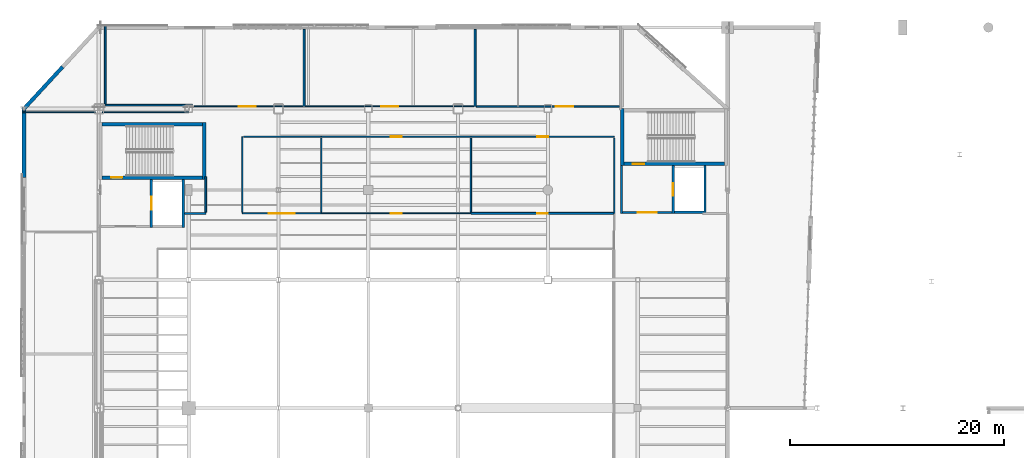
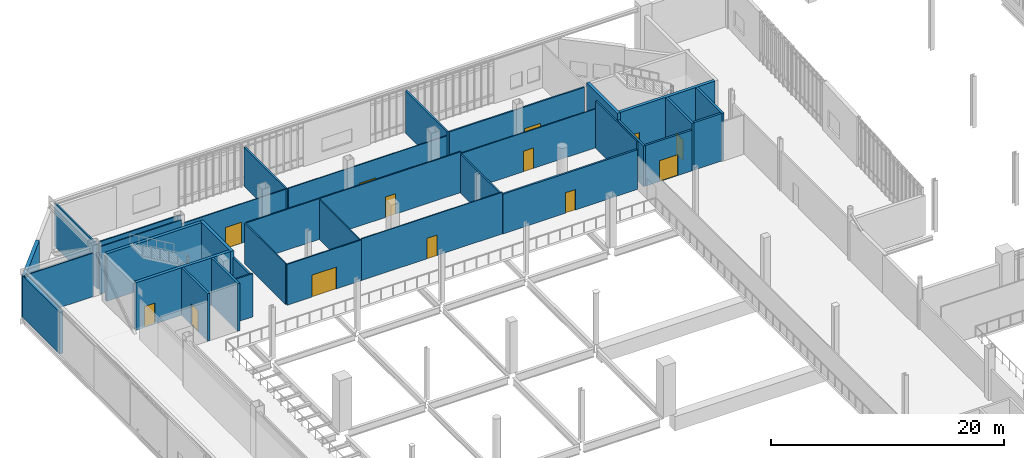
# One storey, part 109 of 127: 35 walls, 13 doors, 13 openings.
"""IFC4 building model written with IfcOpenShell, lengths in metres."""

import ifcopenshell
import ifcopenshell.guid

model = None  # the IFC model being written
_history = None  # IfcOwnerHistory: only IFC2X3 demands one
_inside = {}  # id of a spatial element -> (the spatial element, [elements in it])
_under = {}  # id of a project, library or spatial element -> (it, [spatial elements below it])
_declared = {}  # id of a project -> (the project, [libraries it declares])
_typed = {}  # id of a type object -> (the type object, [elements of that type])
_made_of = {}  # id of a material, layer set ... -> (it, [elements and type objects made of it])


def new_model(schema):
    """Start an empty IFC model of exactly this schema.

    Asked for "IFC4X3", IfcOpenShell would pick the latest addendum, in which some entities
    have other attributes; the version numbers below select the first issue.
    IFC2X3 requires an IfcOwnerHistory on every rooted entity: one is made here for all.
    """
    global model, _history
    if schema == "IFC4X3":
        model = ifcopenshell.file(schema_version=(4, 3, 0, 0))
    else:
        model = ifcopenshell.file(schema=schema)
    _inside.clear()
    _under.clear()
    _declared.clear()
    _typed.clear()
    _made_of.clear()
    _history = None
    if model.schema == "IFC2X3":
        org = make("IfcOrganization", Name="unknown")
        user = make(
            "IfcPersonAndOrganization",
            ThePerson=make("IfcPerson", FamilyName="unknown"),
            TheOrganization=org,
        )
        app = make(
            "IfcApplication",
            ApplicationDeveloper=org,
            Version="unknown",
            ApplicationFullName="unknown",
            ApplicationIdentifier="unknown",
        )
        _history = make(
            "IfcOwnerHistory",
            OwningUser=user,
            OwningApplication=app,
            ChangeAction="ADDED",
            CreationDate=0,
        )
    return model


def make(cls, **values):
    """One entity of the class cls with the attributes given. An attribute that is None is left unset."""
    return model.create_entity(
        cls, **{name: value for name, value in values.items() if value is not None}
    )


def rooted(cls, **values):
    """An entity with a GlobalId (a new one), such as an element, a storey or a relation."""
    return make(cls, GlobalId=ifcopenshell.guid.new(), OwnerHistory=_history, **values)


def si_unit(unit_type, name, prefix=None):
    """IfcSIUnit, for example si_unit("LENGTHUNIT", "METRE", prefix="MILLI")."""
    return make("IfcSIUnit", UnitType=unit_type, Prefix=prefix, Name=name)


def assignment(units):
    """IfcUnitAssignment: the units of a project."""
    return None if units is None else make("IfcUnitAssignment", Units=units)


def point(xyz):
    """IfcCartesianPoint."""
    return None if xyz is None else make("IfcCartesianPoint", Coordinates=xyz)


def direction(xyz):
    """IfcDirection."""
    return None if xyz is None else make("IfcDirection", DirectionRatios=xyz)


def frame(location, z_axis=None, x_axis=None):
    """IfcAxis2Placement3D, a coordinate frame: its origin and axes. An axis left out is left unset."""
    return make(
        "IfcAxis2Placement3D",
        Location=point(location),
        Axis=direction(z_axis),
        RefDirection=direction(x_axis),
    )


def frame_2d(location, x_axis=None):
    """IfcAxis2Placement2D, a coordinate frame in the plane: its origin and x axis."""
    return make(
        "IfcAxis2Placement2D", Location=point(location), RefDirection=direction(x_axis)
    )


def origin():
    """The frame at (0, 0, 0) with its axes left unset."""
    return frame((0.0, 0.0, 0.0))


def place(relative_to, where):
    """IfcLocalPlacement: puts the frame where relative to a parent placement (None: the world)."""
    return make(
        "IfcLocalPlacement", PlacementRelTo=relative_to, RelativePlacement=where
    )


def context(
    kind, dimensions, precision=None, world=None, true_north=None, identifier=None
):
    """IfcGeometricRepresentationContext, for example the 3D "Model" context."""
    return make(
        "IfcGeometricRepresentationContext",
        ContextIdentifier=identifier,
        ContextType=kind,
        CoordinateSpaceDimension=dimensions,
        Precision=precision,
        WorldCoordinateSystem=world,
        TrueNorth=true_north,
    )


def subcontext(parent, identifier, kind, view, scale=None):
    """IfcGeometricRepresentationSubContext, for example "Body" below "Model"."""
    return make(
        "IfcGeometricRepresentationSubContext",
        ContextIdentifier=identifier,
        ContextType=kind,
        ParentContext=parent,
        TargetScale=scale,
        TargetView=view,
    )


def project(units=None, contexts=None):
    """IfcProject with its units and contexts."""
    return rooted(
        "IfcProject",
        Name="project",
        RepresentationContexts=contexts,
        UnitsInContext=assignment(units),
    )


def spatial(cls, under=None, at=None, **own):
    """A site, building, storey or space (cls), placed at a placement, below another one or the project."""
    s = rooted(cls, ObjectPlacement=at, **own)
    if under is not None:
        _under.setdefault(under.id(), (under, []))[1].append(s)
    return s


def profile(cls, at=None, kind="AREA", **sizes):
    """A parametric profile (cls). Its sizes go by their IFC names, for example OverallWidth=200.0."""
    return make(cls, ProfileType=kind, Position=at, **sizes)


def rectangle(**sizes):
    """IfcRectangleProfileDef."""
    return profile("IfcRectangleProfileDef", **sizes)


def extrude(swept, where, along, depth):
    """IfcExtrudedAreaSolid: the profile swept, set in the frame where, extruded along a direction by depth."""
    return make(
        "IfcExtrudedAreaSolid",
        SweptArea=swept,
        Position=where,
        ExtrudedDirection=direction(along),
        Depth=depth,
    )


def shape(context_of_items, identifier, shape_type, items):
    """IfcShapeRepresentation: the items that make up one representation, for example the "Body"."""
    return make(
        "IfcShapeRepresentation",
        ContextOfItems=context_of_items,
        RepresentationIdentifier=identifier,
        RepresentationType=shape_type,
        Items=items,
    )


def material(Name=None, Category=None):
    """IfcMaterial."""
    return make("IfcMaterial", Name=Name, Category=Category)


def layer(
    of_material, thickness, ventilated=None, Name=None, Category=None, Priority=None
):
    """IfcMaterialLayer: one layer of a wall or slab, of a material (None: an air gap)."""
    return make(
        "IfcMaterialLayer",
        Material=of_material,
        LayerThickness=thickness,
        IsVentilated=ventilated,
        Name=Name,
        Category=Category,
        Priority=Priority,
    )


def layer_set(layers, Name=None):
    """IfcMaterialLayerSet."""
    return make("IfcMaterialLayerSet", MaterialLayers=layers, LayerSetName=Name)


def made_of(thing, what):
    """Note that an element or type object is made of a material, layer set ...; save() writes the relation."""
    if what is not None:
        _made_of.setdefault(what.id(), (what, []))[1].append(thing)
    return thing


def type_object(cls, material=None, **own):
    """A type object (cls), such as IfcWallType, which elements share."""
    return made_of(rooted(cls, **own), material)


def element(
    cls,
    number,
    at=None,
    inside=None,
    cuts=None,
    type_object=None,
    material=None,
    context=None,
    identifier="Body",
    shape_type=None,
    held_by="IfcProductDefinitionShape",
    body=None,
    shapes=None,
    **own,
):
    """One element of the class cls, such as IfcWall. Its Tag is "e" and its number.

    at: its placement. inside: the storey or other place that contains it. cuts: it is an
    opening in that element (IfcRelVoidsElement). A single representation is given by context,
    identifier, shape_type and body (its items); several are given by shapes. held_by: the class
    of the entity that holds the representations. save() writes the other relations.
    """
    e = rooted(cls, Tag="e%d" % number, ObjectPlacement=at, **own)
    if body is not None:
        shapes = [shape(context, identifier, shape_type, body)]
    if shapes is not None:
        e.Representation = make(held_by, Representations=shapes)
    if inside is not None:
        _inside.setdefault(inside.id(), (inside, []))[1].append(e)
    if cuts is not None:
        rooted(
            "IfcRelVoidsElement", RelatingBuildingElement=cuts, RelatedOpeningElement=e
        )
    if type_object is not None:
        _typed.setdefault(type_object.id(), (type_object, []))[1].append(e)
    return made_of(e, material)


def fill(opening, filler):
    """IfcRelFillsElement: the door or window that sits in an opening."""
    return rooted(
        "IfcRelFillsElement",
        RelatingOpeningElement=opening,
        RelatedBuildingElement=filler,
    )


def aggregate(whole, parts):
    """IfcRelAggregates: a whole, such as a stair, and the parts it consists of."""
    return rooted("IfcRelAggregates", RelatingObject=whole, RelatedObjects=parts)


def save(model, path):
    """Write the relations noted so far, then the file.

    IfcRelAggregates (storeys below a building ...), IfcRelContainedInSpatialStructure (elements
    in a storey), IfcRelDefinesByType, IfcRelAssociatesMaterial and IfcRelDeclares: one each for
    every whole, place, type object, material and project.
    """
    for whole, parts in _under.values():
        aggregate(whole, parts)
    for where, things in _inside.values():
        rooted(
            "IfcRelContainedInSpatialStructure",
            RelatedElements=things,
            RelatingStructure=where,
        )
    for kind, things in _typed.values():
        rooted("IfcRelDefinesByType", RelatedObjects=things, RelatingType=kind)
    for what, things in _made_of.values():
        rooted("IfcRelAssociatesMaterial", RelatedObjects=things, RelatingMaterial=what)
    for by, libraries in _declared.values():
        rooted("IfcRelDeclares", RelatingContext=by, RelatedDefinitions=libraries)
    model.write(path)


model = new_model("IFC4")

# Units and contexts
model_context = context("Model", 3, precision=1e-05, world=origin(), true_north=direction((0.0, 1.0)))
body_context = subcontext(model_context, "Body", "Model", "MODEL_VIEW")
ifc_project = project(units=[si_unit("LENGTHUNIT", "METRE"), si_unit("AREAUNIT", "SQUARE_METRE"), si_unit("VOLUMEUNIT", "CUBIC_METRE"), si_unit("PLANEANGLEUNIT", "RADIAN"), si_unit("MASSUNIT", "GRAM", prefix="KILO")], contexts=[model_context])

# Site, building, storey
site_placement = place(None, origin())
site = spatial("IfcSite", under=ifc_project, at=site_placement, CompositionType="ELEMENT")
building_placement = place(site_placement, origin())
building = spatial("IfcBuilding", under=site, at=building_placement, Name="Larkvane Passage Sports Hall", CompositionType="ELEMENT")
storey_placement = place(building_placement, frame((0.0, 0.0, 5.39990234375)))
storey = spatial("IfcBuildingStorey", under=building, at=storey_placement, Name="L01", CompositionType="ELEMENT", Elevation=5.39990234375)

# Wall
ifc_material_1 = material(Name="Concrete C50/60", Category="concrete")
ifc_layer_1 = layer(ifc_material_1, 0.340087890625)
ifc_layer_set_1 = layer_set([ifc_layer_1], Name="Concrete C50/60")
wall_type_1 = type_object("IfcWallType", Name="WL-CORE-340", PredefinedType="SHEAR", material=ifc_layer_set_1)
wall_1_placement = place(storey_placement, frame((44.64990234375, 90.300048828125, 0.0), z_axis=(0.0, 0.0, 1.0), x_axis=(0.0, -1.0, 0.0)))
element("IfcWall", 1, at=wall_1_placement, inside=storey, type_object=wall_type_1, Name="Core shear wall WAL-CORE-C2-L01-E", PredefinedType="SHEAR", context=body_context, shape_type="SweptSolid", body=[
    extrude(rectangle(XDim=5.300048828125, YDim=0.300048828125, at=frame_2d((2.64990234375, 0.0))), origin(), (0.0, 0.0, 1.0), 4.97998046875),
])

# Wall, opening, door
wall_2_placement = place(storey_placement, frame((44.5, 85.14990234375, 0.0), z_axis=(0.0, 0.0, 1.0), x_axis=(-1.0, 0.0, 0.0)))
wall_2 = element("IfcWall", 2, at=wall_2_placement, inside=storey, type_object=wall_type_1, Name="Core shear wall WAL-CORE-C2-L01-S", PredefinedType="SHEAR", context=body_context, shape_type="SweptSolid", body=[
    extrude(rectangle(XDim=9.39990234375, YDim=0.300048828125, at=frame_2d((4.699951171875, 0.0))), origin(), (0.0, 0.0, 1.0), 4.97998046875),
])
opening_1_placement = place(wall_2_placement, frame((7.5, 0.0, 0.0)))
opening_1 = element("IfcOpeningElement", 3, at=opening_1_placement, cuts=wall_2, Name="Opening DF-01", PredefinedType="OPENING", context=body_context, shape_type="SweptSolid", body=[
    extrude(rectangle(XDim=1.050048828125, YDim=2.199951171875, at=frame_2d((0.52490234375, 1.10009765625))), frame((0.0, 0.159912109375, 0.0), z_axis=(0.0, -1.0, 0.0), x_axis=(1.0, 0.0, 0.0)), (0.0, 0.0, 1.0), 0.320068359375),
])
ifc_material_2 = material(Name="Steel S355JR smoke-sealed fire door", Category="steel")
door_type_1 = type_object("IfcDoorType", Name="DR-FIRE-1050", OperationType="NOTDEFINED", PredefinedType="DOOR", material=ifc_material_2)
door_1_placement = place(opening_1_placement, origin())
door_1 = element("IfcDoor", 4, at=door_1_placement, inside=storey, type_object=door_type_1, Name="Stair ST-02 L01 fire door", OperationType="SINGLE_SWING_LEFT", OverallHeight=2.199951171875, OverallWidth=1.050048828125, PredefinedType="DOOR", context=body_context, shape_type="SweptSolid", body=[
    extrude(rectangle(XDim=1.050048828125, YDim=2.199951171875, at=frame_2d((0.52490234375, 1.10009765625))), frame((0.0, 0.02490234375, 0.0), z_axis=(0.0, -1.0, 0.0), x_axis=(1.0, 0.0, 0.0)), (0.0, 0.0, 1.0), 0.050048828125),
])
fill(opening_1, door_1)

# Walls
wall_3_placement = place(storey_placement, frame((35.10009765625, 90.14990234375, 0.0), z_axis=(0.0, 0.0, 1.0), x_axis=(1.0, 0.0, 0.0)))
element("IfcWall", 5, at=wall_3_placement, inside=storey, type_object=wall_type_1, Name="Core shear wall WAL-CORE-C2-L01-N", PredefinedType="SHEAR", context=body_context, shape_type="SweptSolid", body=[
    extrude(rectangle(XDim=9.39990234375, YDim=0.300048828125, at=frame_2d((4.699951171875, 0.0))), origin(), (0.0, 0.0, 1.0), 4.97998046875),
])
ifc_layer_2 = layer(ifc_material_1, 0.360107421875)
ifc_layer_set_2 = layer_set([ifc_layer_2], Name="Concrete C50/60")
wall_type_2 = type_object("IfcWallType", Name="WL-CORE-360", PredefinedType="SHEAR", material=ifc_layer_set_2)
wall_4_placement = place(storey_placement, frame((83.75, 86.300048828125, 0.0), z_axis=(0.0, 0.0, 1.0), x_axis=(0.0, 1.0, 0.0)))
element("IfcWall", 6, at=wall_4_placement, inside=storey, type_object=wall_type_2, Name="Core shear wall WAL-CORE-C3-L01-W", PredefinedType="SHEAR", context=body_context, shape_type="SweptSolid", body=[
    extrude(rectangle(XDim=5.300048828125, YDim=0.300048828125, at=frame_2d((2.64990234375, 0.0))), origin(), (0.0, 0.0, 1.0), 4.97998046875),
])

# Wall, opening, door
wall_5_placement = place(storey_placement, frame((93.300048828125, 86.449951171875, 0.0), z_axis=(0.0, 0.0, 1.0), x_axis=(-1.0, 0.0, 0.0)))
wall_5 = element("IfcWall", 7, at=wall_5_placement, inside=storey, type_object=wall_type_2, Name="Core shear wall WAL-CORE-C3-L01-S", PredefinedType="SHEAR", context=body_context, shape_type="SweptSolid", body=[
    extrude(rectangle(XDim=9.400146484375, YDim=0.300048828125, at=frame_2d((4.7001953125, 0.0))), origin(), (0.0, 0.0, 1.0), 4.97998046875),
])
opening_2_placement = place(wall_5_placement, frame((7.5, 0.0, 0.0)))
opening_2 = element("IfcOpeningElement", 8, at=opening_2_placement, cuts=wall_5, Name="Opening DF-01", PredefinedType="OPENING", context=body_context, shape_type="SweptSolid", body=[
    extrude(rectangle(XDim=1.050048828125, YDim=2.199951171875, at=frame_2d((0.52490234375, 1.10009765625))), frame((0.0, 0.159912109375, 0.0), z_axis=(0.0, -1.0, 0.0), x_axis=(1.0, 0.0, 0.0)), (0.0, 0.0, 1.0), 0.320068359375),
])
door_2_placement = place(opening_2_placement, origin())
door_2 = element("IfcDoor", 9, at=door_2_placement, inside=storey, type_object=door_type_1, Name="Stair ST-03 L01 fire door", OperationType="SINGLE_SWING_RIGHT", OverallHeight=2.199951171875, OverallWidth=1.050048828125, PredefinedType="DOOR", context=body_context, shape_type="SweptSolid", body=[
    extrude(rectangle(XDim=1.050048828125, YDim=2.199951171875, at=frame_2d((0.52490234375, 1.10009765625))), frame((0.0, 0.02490234375, 0.0), z_axis=(0.0, -1.0, 0.0), x_axis=(1.0, 0.0, 0.0)), (0.0, 0.0, 1.0), 0.050048828125),
])
fill(opening_2, door_2)

# Walls
ifc_material_3 = material(Name="Precast concrete C45/55", Category="concrete")
ifc_layer_3 = layer(ifc_material_3, 0.344970703125)
ifc_layer_set_3 = layer_set([ifc_layer_3], Name="Precast concrete C45/55")
wall_type_3 = type_object("IfcWallType", Name="WL-EXT-345", PredefinedType="SOLIDWALL", material=ifc_layer_set_3)
wall_6_placement = place(storey_placement, frame((27.800048828125, 85.179931640625, 0.0), z_axis=(0.0, 0.0, 1.0), x_axis=(0.0, 1.0, 0.0)))
element("IfcWall", 10, at=wall_6_placement, inside=storey, type_object=wall_type_3, Name="Exterior wall WAL-EXT-L01-069", PredefinedType="SOLIDWALL", context=body_context, shape_type="SweptSolid", body=[
    extrude(rectangle(XDim=6.585693359375, YDim=0.344970703125, at=frame_2d((3.29296875, 0.0))), origin(), (0.0, 0.0, 1.0), 4.380126953125),
])
wall_7_placement = place(storey_placement, frame((27.687744140625, 91.478271484375, 0.0), z_axis=(0.0, 0.0, 1.0), x_axis=(0.677488400695, 0.735533457379, 0.0)))
element("IfcWall", 11, at=wall_7_placement, inside=storey, type_object=wall_type_3, Name="Exterior wall WAL-EXT-L01-070", PredefinedType="SOLIDWALL", context=body_context, shape_type="SweptSolid", body=[
    extrude(rectangle(XDim=5.497314453125, YDim=0.344970703125, at=frame_2d((2.74853515625, 0.0))), origin(), (0.0, 0.0, 1.0), 4.380126953125),
])

# Wall, opening, door
ifc_material_4 = material(Name="Concrete C40/50", Category="concrete")
ifc_layer_4 = layer(ifc_material_4, 0.199951171875)
ifc_layer_set_4 = layer_set([ifc_layer_4], Name="Concrete C40/50")
wall_type_4 = type_object("IfcWallType", Name="WL-LOBBY-200", PredefinedType="SOLIDWALL", material=ifc_layer_set_4)
wall_8_placement = place(storey_placement, frame((83.800048828125, 81.89990234375, 0.0), z_axis=(0.0, 0.0, 1.0), x_axis=(1.0, 0.0, 0.0)))
wall_8 = element("IfcWall", 12, at=wall_8_placement, inside=storey, type_object=wall_type_4, Name="Protected stair lobby wall C3 L01", PredefinedType="SOLIDWALL", context=body_context, shape_type="SweptSolid", body=[
    extrude(rectangle(XDim=4.599853515625, YDim=0.199951171875, at=frame_2d((2.2998046875, 0.0))), origin(), (0.0, 0.0, 1.0), 4.27001953125),
])
opening_3_placement = place(wall_8_placement, frame((1.39990234375, 0.0, 0.0)))
opening_3 = element("IfcOpeningElement", 13, at=opening_3_placement, cuts=wall_8, Name="Opening DF-02", PredefinedType="OPENING", context=body_context, shape_type="SweptSolid", body=[
    extrude(rectangle(XDim=1.800048828125, YDim=2.199951171875, at=frame_2d((0.89990234375, 1.10009765625))), frame((0.0, 0.10986328125, 0.0), z_axis=(0.0, -1.0, 0.0), x_axis=(1.0, 0.0, 0.0)), (0.0, 0.0, 1.0), 0.219970703125),
])
ifc_material_5 = material(Name="Steel S355JR double smoke-sealed fire door", Category="steel")
door_type_2 = type_object("IfcDoorType", Name="DR-FIRE-1800", OperationType="DOUBLE_DOOR_SINGLE_SWING", PredefinedType="DOOR", material=ifc_material_5)
door_3_placement = place(opening_3_placement, origin())
door_3 = element("IfcDoor", 14, at=door_3_placement, inside=storey, type_object=door_type_2, Name="Lobby smoke door C3 L01", OperationType="DOUBLE_DOOR_SINGLE_SWING", OverallHeight=2.199951171875, OverallWidth=1.800048828125, PredefinedType="DOOR", context=body_context, shape_type="SweptSolid", body=[
    extrude(rectangle(XDim=1.800048828125, YDim=2.199951171875, at=frame_2d((0.89990234375, 1.10009765625))), frame((0.0, 0.02490234375, 0.0), z_axis=(0.0, -1.0, 0.0), x_axis=(1.0, 0.0, 0.0)), (0.0, 0.0, 1.0), 0.050048828125),
])
fill(opening_3, door_3)

# Walls
wall_9_placement = place(storey_placement, frame((83.699951171875, 81.800048828125, 0.0), z_axis=(0.0, 0.0, 1.0), x_axis=(0.0, 1.0, 0.0)))
element("IfcWall", 15, at=wall_9_placement, inside=storey, type_object=wall_type_4, Name="Lobby side wall C3 L01", PredefinedType="SOLIDWALL", context=body_context, shape_type="SweptSolid", body=[
    extrude(rectangle(XDim=4.5, YDim=0.199951171875, at=frame_2d((2.25, 0.0))), origin(), (0.0, 0.0, 1.0), 4.27001953125),
])
ifc_material_6 = material(Name="Gypsum twin-stud acoustic partition")
ifc_layer_5 = layer(ifc_material_6, 0.10009765625)
ifc_layer_set_5 = layer_set([ifc_layer_5], Name="Gypsum twin-stud acoustic partition")
wall_type_5 = type_object("IfcWallType", Name="WL-PART-100", PredefinedType="PARTITIONING", material=ifc_layer_set_5)
wall_10_placement = place(storey_placement, frame((27.6484375, 91.260009765625, 0.0), z_axis=(0.0, 0.0, 1.0), x_axis=(1.0, 0.0, 0.0)))
element("IfcWall", 16, at=wall_10_placement, inside=storey, type_object=wall_type_5, Name="Interior partition WAL-PART-L01-0111", PredefinedType="PARTITIONING", context=body_context, shape_type="SweptSolid", body=[
    extrude(rectangle(XDim=6.8115234375, YDim=0.10009765625, at=frame_2d((3.40576171875, 0.0))), origin(), (0.0, 0.0, 1.0), 4.580078125),
])

# Wall, opening, door
wall_11_placement = place(storey_placement, frame((53.8798828125, 91.820068359375, 0.0), z_axis=(0.0, 0.0, 1.0), x_axis=(-1.0, 0.0, 0.0)))
wall_11 = element("IfcWall", 17, at=wall_11_placement, inside=storey, type_object=wall_type_5, Name="Interior partition WAL-PART-L01-0119", PredefinedType="PARTITIONING", context=body_context, shape_type="SweptSolid", body=[
    extrude(rectangle(XDim=10.40576171875, YDim=0.10009765625, at=frame_2d((5.202880859375, 0.0))), origin(), (0.0, 0.0, 1.0), 4.1201171875),
])
opening_4_placement = place(wall_11_placement, frame((4.403076171875, 0.0, 0.0)))
opening_4 = element("IfcOpeningElement", 18, at=opening_4_placement, cuts=wall_11, Name="Opening DI-03", PredefinedType="OPENING", context=body_context, shape_type="SweptSolid", body=[
    extrude(rectangle(XDim=1.60009765625, YDim=2.199951171875, at=frame_2d((0.800048828125, 1.10009765625))), frame((0.0, 0.06005859375, 0.0), z_axis=(0.0, -1.0, 0.0), x_axis=(1.0, 0.0, 0.0)), (0.0, 0.0, 1.0), 0.1201171875),
])
ifc_material_7 = material(Name="Glazed aluminium studio double door", Category="aluminium")
door_type_3 = type_object("IfcDoorType", Name="DR-INT-1600", OperationType="DOUBLE_DOOR_SINGLE_SWING", PredefinedType="DOOR", material=ifc_material_7)
door_4_placement = place(opening_4_placement, origin())
door_4 = element("IfcDoor", 19, at=door_4_placement, inside=storey, type_object=door_type_3, Name="Interior door L01-0055", OperationType="DOUBLE_DOOR_SINGLE_SWING", OverallHeight=2.199951171875, OverallWidth=1.60009765625, PredefinedType="DOOR", context=body_context, shape_type="SweptSolid", body=[
    extrude(rectangle(XDim=1.60009765625, YDim=2.199951171875, at=frame_2d((0.800048828125, 1.10009765625))), frame((0.0, 0.02490234375, 0.0), z_axis=(0.0, -1.0, 0.0), x_axis=(1.0, 0.0, 0.0)), (0.0, 0.0, 1.0), 0.050048828125),
])
fill(opening_4, door_4)

wall_12_placement = place(storey_placement, frame((69.8798828125, 91.820068359375, 0.0), z_axis=(0.0, 0.0, 1.0), x_axis=(-1.0, 0.0, 0.0)))
wall_12 = element("IfcWall", 20, at=wall_12_placement, inside=storey, type_object=wall_type_5, Name="Interior partition WAL-PART-L01-0123", PredefinedType="PARTITIONING", context=body_context, shape_type="SweptSolid", body=[
    extrude(rectangle(XDim=15.759765625, YDim=0.10009765625, at=frame_2d((7.8798828125, 0.0))), origin(), (0.0, 0.0, 1.0), 4.1201171875),
])
opening_5_placement = place(wall_12_placement, frame((7.080078125, 0.0, 0.0)))
opening_5 = element("IfcOpeningElement", 21, at=opening_5_placement, cuts=wall_12, Name="Opening DI-03", PredefinedType="OPENING", context=body_context, shape_type="SweptSolid", body=[
    extrude(rectangle(XDim=1.60009765625, YDim=2.199951171875, at=frame_2d((0.800048828125, 1.10009765625))), frame((0.0, 0.06005859375, 0.0), z_axis=(0.0, -1.0, 0.0), x_axis=(1.0, 0.0, 0.0)), (0.0, 0.0, 1.0), 0.1201171875),
])
door_5_placement = place(opening_5_placement, origin())
door_5 = element("IfcDoor", 22, at=door_5_placement, inside=storey, type_object=door_type_3, Name="Interior door L01-0049", OperationType="DOUBLE_DOOR_SINGLE_SWING", OverallHeight=2.199951171875, OverallWidth=1.60009765625, PredefinedType="DOOR", context=body_context, shape_type="SweptSolid", body=[
    extrude(rectangle(XDim=1.60009765625, YDim=2.199951171875, at=frame_2d((0.800048828125, 1.10009765625))), frame((0.0, 0.02490234375, 0.0), z_axis=(0.0, -1.0, 0.0), x_axis=(1.0, 0.0, 0.0)), (0.0, 0.0, 1.0), 0.050048828125),
])
fill(opening_5, door_5)

wall_13_placement = place(storey_placement, frame((69.60009765625, 81.820068359375, 0.0), z_axis=(0.0, 0.0, 1.0), x_axis=(-1.0, 0.0, 0.0)))
wall_13 = element("IfcWall", 23, at=wall_13_placement, inside=storey, type_object=wall_type_5, Name="Interior partition WAL-PART-L01-0135", PredefinedType="PARTITIONING", context=body_context, shape_type="SweptSolid", body=[
    extrude(rectangle(XDim=13.97998046875, YDim=0.10009765625, at=frame_2d((6.989990234375, 0.0))), origin(), (0.0, 0.0, 1.0), 4.3701171875),
])
opening_6_placement = place(wall_13_placement, frame((6.489990234375, 0.0, 0.0)))
opening_6 = element("IfcOpeningElement", 24, at=opening_6_placement, cuts=wall_13, Name="Opening DI-01", PredefinedType="OPENING", context=body_context, shape_type="SweptSolid", body=[
    extrude(rectangle(XDim=1.0, YDim=2.14990234375, at=frame_2d((0.5, 1.074951171875))), frame((0.0, 0.06005859375, 0.0), z_axis=(0.0, -1.0, 0.0), x_axis=(1.0, 0.0, 0.0)), (0.0, 0.0, 1.0), 0.1201171875),
])
ifc_material_8 = material(Name="Solid-core hardwood acoustic door", Category="wood")
door_type_4 = type_object("IfcDoorType", Name="DR-INT-1000", OperationType="NOTDEFINED", PredefinedType="DOOR", material=ifc_material_8)
door_6_placement = place(opening_6_placement, origin())
door_6 = element("IfcDoor", 25, at=door_6_placement, inside=storey, type_object=door_type_4, Name="Interior door L01-0050", OperationType="SINGLE_SWING_LEFT", OverallHeight=2.14990234375, OverallWidth=1.0, PredefinedType="DOOR", context=body_context, shape_type="SweptSolid", body=[
    extrude(rectangle(XDim=1.0, YDim=2.14990234375, at=frame_2d((0.5, 1.074951171875))), frame((0.0, 0.02490234375, 0.0), z_axis=(0.0, -1.0, 0.0), x_axis=(1.0, 0.0, 0.0)), (0.0, 0.0, 1.0), 0.050048828125),
])
fill(opening_6, door_6)

wall_14_placement = place(storey_placement, frame((69.6201171875, 88.97998046875, 0.0), z_axis=(0.0, 0.0, 1.0), x_axis=(1.0, 0.0, 0.0)))
wall_14 = element("IfcWall", 26, at=wall_14_placement, inside=storey, type_object=wall_type_5, Name="Interior partition WAL-PART-L01-0139", PredefinedType="PARTITIONING", context=body_context, shape_type="SweptSolid", body=[
    extrude(rectangle(XDim=13.3798828125, YDim=0.10009765625, at=frame_2d((6.68994140625, 0.0))), origin(), (0.0, 0.0, 1.0), 4.080078125),
])
opening_7_placement = place(wall_14_placement, frame((6.18994140625, 0.0, 0.0)))
opening_7 = element("IfcOpeningElement", 27, at=opening_7_placement, cuts=wall_14, Name="Opening DI-01", PredefinedType="OPENING", context=body_context, shape_type="SweptSolid", body=[
    extrude(rectangle(XDim=1.0, YDim=2.14990234375, at=frame_2d((0.5, 1.074951171875))), frame((0.0, 0.06005859375, 0.0), z_axis=(0.0, -1.0, 0.0), x_axis=(1.0, 0.0, 0.0)), (0.0, 0.0, 1.0), 0.1201171875),
])
door_7_placement = place(opening_7_placement, origin())
door_7 = element("IfcDoor", 28, at=door_7_placement, inside=storey, type_object=door_type_4, Name="Interior door L01-0052", OperationType="SINGLE_SWING_LEFT", OverallHeight=2.14990234375, OverallWidth=1.0, PredefinedType="DOOR", context=body_context, shape_type="SweptSolid", body=[
    extrude(rectangle(XDim=1.0, YDim=2.14990234375, at=frame_2d((0.5, 1.074951171875))), frame((0.0, 0.02490234375, 0.0), z_axis=(0.0, -1.0, 0.0), x_axis=(1.0, 0.0, 0.0)), (0.0, 0.0, 1.0), 0.050048828125),
])
fill(opening_7, door_7)

# Walls
wall_15_placement = place(storey_placement, frame((35.139892578125, 91.260009765625, 0.0), z_axis=(0.0, 0.0, 1.0), x_axis=(1.0, 0.0, 0.0)))
element("IfcWall", 29, at=wall_15_placement, inside=storey, type_object=wall_type_5, Name="Interior partition WAL-PART-L01-0171", PredefinedType="PARTITIONING", context=body_context, shape_type="SweptSolid", body=[
    extrude(rectangle(XDim=8.06005859375, YDim=0.10009765625, at=frame_2d((4.030029296875, 0.0))), origin(), (0.0, 0.0, 1.0), 4.97998046875),
])
ifc_material_9 = material(Name="Gypsum twin-stud fire-rated partition")
ifc_layer_6 = layer(ifc_material_9, 0.125)
ifc_layer_set_6 = layer_set([ifc_layer_6], Name="Gypsum twin-stud fire-rated partition")
wall_type_6 = type_object("IfcWallType", Name="WL-PART-125", PredefinedType="PARTITIONING", material=ifc_layer_set_6)
wall_16_placement = place(storey_placement, frame((43.52001953125, 91.93994140625, 0.0), z_axis=(0.0, 0.0, 1.0), x_axis=(-1.0, 0.0, 0.0)))
element("IfcWall", 30, at=wall_16_placement, inside=storey, type_object=wall_type_6, Name="Interior partition WAL-PART-L01-0120", PredefinedType="PARTITIONING", context=body_context, shape_type="SweptSolid", body=[
    extrude(rectangle(XDim=8.1201171875, YDim=0.125, at=frame_2d((4.06005859375, 0.0))), origin(), (0.0, 0.0, 1.0), 4.97998046875),
])

# Wall, opening, door
wall_17_placement = place(storey_placement, frame((55.60009765625, 81.820068359375, 0.0), z_axis=(0.0, 0.0, 1.0), x_axis=(-1.0, 0.0, 0.0)))
wall_17 = element("IfcWall", 31, at=wall_17_placement, inside=storey, type_object=wall_type_6, Name="Interior partition WAL-PART-L01-0131", PredefinedType="PARTITIONING", context=body_context, shape_type="SweptSolid", body=[
    extrude(rectangle(XDim=7.380126953125, YDim=0.125, at=frame_2d((3.68994140625, 0.0))), origin(), (0.0, 0.0, 1.0), 4.278076171875),
])
opening_8_placement = place(wall_17_placement, frame((2.489990234375, 0.0, 0.0)))
opening_8 = element("IfcOpeningElement", 32, at=opening_8_placement, cuts=wall_17, Name="Opening FD-01", PredefinedType="OPENING", context=body_context, shape_type="SweptSolid", body=[
    extrude(rectangle(XDim=2.39990234375, YDim=2.300048828125, at=frame_2d((1.199951171875, 1.14990234375))), frame((0.0, 0.072509765625, 0.0), z_axis=(0.0, -1.0, 0.0), x_axis=(1.0, 0.0, 0.0)), (0.0, 0.0, 1.0), 0.14501953125),
])
ifc_material_10 = material(Name="Bi-fold steel S355JR equipment store door", Category="steel")
door_type_5 = type_object("IfcDoorType", Name="DR-FOLD-2400", OperationType="FOLDING_TO_LEFT", PredefinedType="DOOR", material=ifc_material_10)
door_8_placement = place(opening_8_placement, origin())
door_8 = element("IfcDoor", 33, at=door_8_placement, inside=storey, type_object=door_type_5, Name="Interior door L01-0058", OperationType="FOLDING_TO_LEFT", OverallHeight=2.300048828125, OverallWidth=2.39990234375, PredefinedType="DOOR", context=body_context, shape_type="SweptSolid", body=[
    extrude(rectangle(XDim=2.39990234375, YDim=2.300048828125, at=frame_2d((1.199951171875, 1.14990234375))), frame((0.0, 0.02490234375, 0.0), z_axis=(0.0, -1.0, 0.0), x_axis=(1.0, 0.0, 0.0)), (0.0, 0.0, 1.0), 0.050048828125),
])
fill(opening_8, door_8)

# Walls
wall_18_placement = place(storey_placement, frame((48.219970703125, 81.93994140625, 0.0), z_axis=(0.0, 0.0, 1.0), x_axis=(0.0, 1.0, 0.0)))
element("IfcWall", 34, at=wall_18_placement, inside=storey, type_object=wall_type_6, Name="Interior partition WAL-PART-L01-0132", PredefinedType="PARTITIONING", context=body_context, shape_type="SweptSolid", body=[
    extrude(rectangle(XDim=7.0400390625, YDim=0.125, at=frame_2d((3.52001953125, 0.0))), origin(), (0.0, 0.0, 1.0), 4.27001953125),
])
wall_19_placement = place(storey_placement, frame((48.340087890625, 88.97998046875, 0.0), z_axis=(0.0, 0.0, 1.0), x_axis=(1.0, 0.0, 0.0)))
element("IfcWall", 35, at=wall_19_placement, inside=storey, type_object=wall_type_6, Name="Interior partition WAL-PART-L01-0133", PredefinedType="PARTITIONING", context=body_context, shape_type="SweptSolid", body=[
    extrude(rectangle(XDim=7.260009765625, YDim=0.125, at=frame_2d((3.6298828125, 0.0))), origin(), (0.0, 0.0, 1.0), 4.27001953125),
])
wall_20_placement = place(storey_placement, frame((55.60009765625, 88.860107421875, 0.0), z_axis=(0.0, 0.0, 1.0), x_axis=(0.0, -1.0, 0.0)))
element("IfcWall", 36, at=wall_20_placement, inside=storey, type_object=wall_type_6, Name="Interior partition WAL-PART-L01-0134", PredefinedType="PARTITIONING", context=body_context, shape_type="SweptSolid", body=[
    extrude(rectangle(XDim=6.920166015625, YDim=0.125, at=frame_2d((3.4599609375, 0.0))), origin(), (0.0, 0.0, 1.0), 4.177978515625),
])

# Wall, opening, door
wall_21_placement = place(storey_placement, frame((55.6201171875, 88.97998046875, 0.0), z_axis=(0.0, 0.0, 1.0), x_axis=(1.0, 0.0, 0.0)))
wall_21 = element("IfcWall", 37, at=wall_21_placement, inside=storey, type_object=wall_type_6, Name="Interior partition WAL-PART-L01-0136", PredefinedType="PARTITIONING", context=body_context, shape_type="SweptSolid", body=[
    extrude(rectangle(XDim=13.97998046875, YDim=0.125, at=frame_2d((6.989990234375, 0.0))), origin(), (0.0, 0.0, 1.0), 4.278076171875),
])
opening_9_placement = place(wall_21_placement, frame((6.489990234375, 0.0, 0.0)))
opening_9 = element("IfcOpeningElement", 38, at=opening_9_placement, cuts=wall_21, Name="Opening DI-01", PredefinedType="OPENING", context=body_context, shape_type="SweptSolid", body=[
    extrude(rectangle(XDim=1.0, YDim=2.14990234375, at=frame_2d((0.5, 1.074951171875))), frame((0.0, 0.072509765625, 0.0), z_axis=(0.0, -1.0, 0.0), x_axis=(1.0, 0.0, 0.0)), (0.0, 0.0, 1.0), 0.14501953125),
])
door_9_placement = place(opening_9_placement, origin())
door_9 = element("IfcDoor", 39, at=door_9_placement, inside=storey, type_object=door_type_4, Name="Interior door L01-0051", OperationType="SINGLE_SWING_RIGHT", OverallHeight=2.14990234375, OverallWidth=1.0, PredefinedType="DOOR", context=body_context, shape_type="SweptSolid", body=[
    extrude(rectangle(XDim=1.0, YDim=2.14990234375, at=frame_2d((0.5, 1.074951171875))), frame((0.0, 0.02490234375, 0.0), z_axis=(0.0, -1.0, 0.0), x_axis=(1.0, 0.0, 0.0)), (0.0, 0.0, 1.0), 0.050048828125),
])
fill(opening_9, door_9)

# Walls
wall_22_placement = place(storey_placement, frame((83.0, 88.860107421875, 0.0), z_axis=(0.0, 0.0, 1.0), x_axis=(0.0, -1.0, 0.0)))
element("IfcWall", 40, at=wall_22_placement, inside=storey, type_object=wall_type_6, Name="Interior partition WAL-PART-L01-0140", PredefinedType="PARTITIONING", context=body_context, shape_type="SweptSolid", body=[
    extrude(rectangle(XDim=7.0400390625, YDim=0.125, at=frame_2d((3.52001953125, 0.0))), origin(), (0.0, 0.0, 1.0), 4.97998046875),
])
ifc_material_11 = material(Name="Gypsum acoustic partition")
ifc_layer_7 = layer(ifc_material_11, 0.14990234375)
ifc_layer_set_7 = layer_set([ifc_layer_7], Name="Gypsum acoustic partition")
wall_type_7 = type_object("IfcWallType", Name="WL-PART-150", PredefinedType="PARTITIONING", material=ifc_layer_set_7)
wall_23_placement = place(storey_placement, frame((35.39990234375, 92.06005859375, 0.0), z_axis=(0.0, 0.0, 1.0), x_axis=(0.0, 1.0, 0.0)))
element("IfcWall", 41, at=wall_23_placement, inside=storey, type_object=wall_type_7, Name="Interior partition WAL-PART-L01-0121", PredefinedType="PARTITIONING", context=body_context, shape_type="SweptSolid", body=[
    extrude(rectangle(XDim=7.29150390625, YDim=0.14990234375, at=frame_2d((3.645751953125, 0.0))), origin(), (0.0, 0.0, 1.0), 4.580078125),
])

# Wall, opening, door
wall_24_placement = place(storey_placement, frame((83.47998046875, 91.820068359375, 0.0), z_axis=(0.0, 0.0, 1.0), x_axis=(-1.0, 0.0, 0.0)))
wall_24 = element("IfcWall", 42, at=wall_24_placement, inside=storey, type_object=wall_type_7, Name="Interior partition WAL-PART-L01-0125", PredefinedType="PARTITIONING", context=body_context, shape_type="SweptSolid", body=[
    extrude(rectangle(XDim=13.35986328125, YDim=0.14990234375, at=frame_2d((6.679931640625, 0.0))), origin(), (0.0, 0.0, 1.0), 4.47021484375),
])
opening_10_placement = place(wall_24_placement, frame((4.33203125, 0.0, 0.0)))
opening_10 = element("IfcOpeningElement", 43, at=opening_10_placement, cuts=wall_24, Name="Opening DI-03", PredefinedType="OPENING", context=body_context, shape_type="SweptSolid", body=[
    extrude(rectangle(XDim=1.60009765625, YDim=2.199951171875, at=frame_2d((0.800048828125, 1.10009765625))), frame((0.0, 0.0849609375, 0.0), z_axis=(0.0, -1.0, 0.0), x_axis=(1.0, 0.0, 0.0)), (0.0, 0.0, 1.0), 0.169921875),
])
door_10_placement = place(opening_10_placement, origin())
door_10 = element("IfcDoor", 44, at=door_10_placement, inside=storey, type_object=door_type_3, Name="Interior door L01-0054", OperationType="DOUBLE_DOOR_SINGLE_SWING", OverallHeight=2.199951171875, OverallWidth=1.60009765625, PredefinedType="DOOR", context=body_context, shape_type="SweptSolid", body=[
    extrude(rectangle(XDim=1.60009765625, YDim=2.199951171875, at=frame_2d((0.800048828125, 1.10009765625))), frame((0.0, 0.02490234375, 0.0), z_axis=(0.0, -1.0, 0.0), x_axis=(1.0, 0.0, 0.0)), (0.0, 0.0, 1.0), 0.050048828125),
])
fill(opening_10, door_10)

# Walls
wall_25_placement = place(storey_placement, frame((69.60009765625, 88.860107421875, 0.0), z_axis=(0.0, 0.0, 1.0), x_axis=(0.0, -1.0, 0.0)))
element("IfcWall", 45, at=wall_25_placement, inside=storey, type_object=wall_type_7, Name="Interior partition WAL-PART-L01-0137", PredefinedType="PARTITIONING", context=body_context, shape_type="SweptSolid", body=[
    extrude(rectangle(XDim=6.920166015625, YDim=0.14990234375, at=frame_2d((3.4599609375, 0.0))), origin(), (0.0, 0.0, 1.0), 4.080078125),
])
wall_26_placement = place(storey_placement, frame((42.820068359375, 81.800048828125, 0.0), z_axis=(0.0, 0.0, 1.0), x_axis=(1.0, 0.0, 0.0)))
element("IfcWall", 46, at=wall_26_placement, inside=storey, type_object=wall_type_7, Name="Interior partition WAL-PART-L01-0169", PredefinedType="PARTITIONING", context=body_context, shape_type="SweptSolid", body=[
    extrude(rectangle(XDim=1.97998046875, YDim=0.14990234375, at=frame_2d((0.989990234375, 0.0))), origin(), (0.0, 0.0, 1.0), 4.530029296875),
])
ifc_material_12 = material(Name="Gypsum high-bay court partition")
ifc_layer_8 = layer(ifc_material_12, 0.179931640625)
ifc_layer_set_8 = layer_set([ifc_layer_8], Name="Gypsum high-bay court partition")
wall_type_8 = type_object("IfcWallType", Name="WL-PART-180", PredefinedType="PARTITIONING", material=ifc_layer_set_8)
wall_27_placement = place(storey_placement, frame((54.0, 99.02001953125, 0.0), z_axis=(0.0, 0.0, 1.0), x_axis=(0.0, -1.0, 0.0)))
element("IfcWall", 47, at=wall_27_placement, inside=storey, type_object=wall_type_8, Name="Interior partition WAL-PART-L01-0118", PredefinedType="PARTITIONING", context=body_context, shape_type="SweptSolid", body=[
    extrude(rectangle(XDim=7.199951171875, YDim=0.179931640625, at=frame_2d((3.60009765625, 0.0))), origin(), (0.0, 0.0, 1.0), 4.1201171875),
])
wall_28_placement = place(storey_placement, frame((70.0, 99.02001953125, 0.0), z_axis=(0.0, 0.0, 1.0), x_axis=(0.0, -1.0, 0.0)))
element("IfcWall", 48, at=wall_28_placement, inside=storey, type_object=wall_type_8, Name="Interior partition WAL-PART-L01-0122", PredefinedType="PARTITIONING", context=body_context, shape_type="SweptSolid", body=[
    extrude(rectangle(XDim=7.199951171875, YDim=0.179931640625, at=frame_2d((3.60009765625, 0.0))), origin(), (0.0, 0.0, 1.0), 4.47021484375),
])

# Wall, opening, door
wall_29_placement = place(storey_placement, frame((82.97998046875, 81.820068359375, 0.0), z_axis=(0.0, 0.0, 1.0), x_axis=(-1.0, 0.0, 0.0)))
wall_29 = element("IfcWall", 49, at=wall_29_placement, inside=storey, type_object=wall_type_8, Name="Interior partition WAL-PART-L01-0138", PredefinedType="PARTITIONING", context=body_context, shape_type="SweptSolid", body=[
    extrude(rectangle(XDim=13.35986328125, YDim=0.179931640625, at=frame_2d((6.679931640625, 0.0))), origin(), (0.0, 0.0, 1.0), 4.170166015625),
])
opening_11_placement = place(wall_29_placement, frame((6.179931640625, 0.0, 0.0)))
opening_11 = element("IfcOpeningElement", 50, at=opening_11_placement, cuts=wall_29, Name="Opening DI-01", PredefinedType="OPENING", context=body_context, shape_type="SweptSolid", body=[
    extrude(rectangle(XDim=1.0, YDim=2.14990234375, at=frame_2d((0.5, 1.074951171875))), frame((0.0, 0.099853515625, 0.0), z_axis=(0.0, -1.0, 0.0), x_axis=(1.0, 0.0, 0.0)), (0.0, 0.0, 1.0), 0.199951171875),
])
door_11_placement = place(opening_11_placement, origin())
door_11 = element("IfcDoor", 51, at=door_11_placement, inside=storey, type_object=door_type_4, Name="Interior door L01-0053", OperationType="SINGLE_SWING_RIGHT", OverallHeight=2.14990234375, OverallWidth=1.0, PredefinedType="DOOR", context=body_context, shape_type="SweptSolid", body=[
    extrude(rectangle(XDim=1.0, YDim=2.14990234375, at=frame_2d((0.5, 1.074951171875))), frame((0.0, 0.02490234375, 0.0), z_axis=(0.0, -1.0, 0.0), x_axis=(1.0, 0.0, 0.0)), (0.0, 0.0, 1.0), 0.050048828125),
])
fill(opening_11, door_11)

# Wall
wall_30_placement = place(storey_placement, frame((44.800048828125, 81.919921875, 0.0), z_axis=(0.0, 0.0, 1.0), x_axis=(0.0, 1.0, 0.0)))
element("IfcWall", 52, at=wall_30_placement, inside=storey, type_object=wall_type_8, Name="Interior partition WAL-PART-L01-0170", PredefinedType="PARTITIONING", context=body_context, shape_type="SweptSolid", body=[
    extrude(rectangle(XDim=3.340087890625, YDim=0.179931640625, at=frame_2d((1.669921875, 0.0))), origin(), (0.0, 0.0, 1.0), 4.27001953125),
])

# Wall, opening, door
ifc_layer_9 = layer(ifc_material_4, 0.219970703125)
ifc_layer_set_9 = layer_set([ifc_layer_9], Name="Concrete C40/50")
wall_type_9 = type_object("IfcWallType", Name="WL-SHAFT-220", PredefinedType="SOLIDWALL", material=ifc_layer_set_9)
wall_31_placement = place(storey_placement, frame((39.7099609375, 80.5, 0.0), z_axis=(0.0, 0.0, 1.0), x_axis=(0.0, 1.0, 0.0)))
wall_31 = element("IfcWall", 53, at=wall_31_placement, inside=storey, type_object=wall_type_9, Name="Lift shaft front wall L-03 L01", PredefinedType="SOLIDWALL", context=body_context, shape_type="SweptSolid", body=[
    extrude(rectangle(XDim=4.5, YDim=0.219970703125, at=frame_2d((2.25, 0.0))), origin(), (0.0, 0.0, 1.0), 4.97998046875),
])
opening_12_placement = place(wall_31_placement, frame((1.64990234375, 0.0, 0.0)))
opening_12 = element("IfcOpeningElement", 54, at=opening_12_placement, cuts=wall_31, Name="Opening LD-01", PredefinedType="OPENING", context=body_context, shape_type="SweptSolid", body=[
    extrude(rectangle(XDim=1.199951171875, YDim=2.199951171875, at=frame_2d((0.60009765625, 1.10009765625))), frame((0.0, 0.119873046875, 0.0), z_axis=(0.0, -1.0, 0.0), x_axis=(1.0, 0.0, 0.0)), (0.0, 0.0, 1.0), 0.239990234375),
])
ifc_material_13 = material(Name="Stainless steel S355JR lift landing door", Category="steel")
door_type_6 = type_object("IfcDoorType", Name="DR-LIFT-1200", OperationType="SLIDING_TO_LEFT", PredefinedType="DOOR", material=ifc_material_13)
door_12_placement = place(opening_12_placement, origin())
door_12 = element("IfcDoor", 55, at=door_12_placement, inside=storey, type_object=door_type_6, Name="Lift landing door L-03 L01", OperationType="SLIDING_TO_LEFT", OverallHeight=2.199951171875, OverallWidth=1.199951171875, PredefinedType="DOOR", context=body_context, shape_type="SweptSolid", body=[
    extrude(rectangle(XDim=1.199951171875, YDim=2.199951171875, at=frame_2d((0.60009765625, 1.10009765625))), frame((0.0, 0.02490234375, 0.0), z_axis=(0.0, -1.0, 0.0), x_axis=(1.0, 0.0, 0.0)), (0.0, 0.0, 1.0), 0.050048828125),
])
fill(opening_12, door_12)

# Wall
wall_32_placement = place(storey_placement, frame((42.68994140625, 80.5, 0.0), z_axis=(0.0, 0.0, 1.0), x_axis=(0.0, 1.0, 0.0)))
element("IfcWall", 56, at=wall_32_placement, inside=storey, type_object=wall_type_9, Name="Lift shaft rear wall L-03 L01", PredefinedType="SOLIDWALL", context=body_context, shape_type="SweptSolid", body=[
    extrude(rectangle(XDim=4.5, YDim=0.219970703125, at=frame_2d((2.25, 0.0))), origin(), (0.0, 0.0, 1.0), 4.97998046875),
])

# Wall, opening, door
wall_33_placement = place(storey_placement, frame((88.510009765625, 81.800048828125, 0.0), z_axis=(0.0, 0.0, 1.0), x_axis=(0.0, 1.0, 0.0)))
wall_33 = element("IfcWall", 57, at=wall_33_placement, inside=storey, type_object=wall_type_9, Name="Lift shaft front wall L-04 L01", PredefinedType="SOLIDWALL", context=body_context, shape_type="SweptSolid", body=[
    extrude(rectangle(XDim=4.5, YDim=0.219970703125, at=frame_2d((2.25, 0.0))), origin(), (0.0, 0.0, 1.0), 4.97998046875),
])
opening_13_placement = place(wall_33_placement, frame((1.64990234375, 0.0, 0.0)))
opening_13 = element("IfcOpeningElement", 58, at=opening_13_placement, cuts=wall_33, Name="Opening LD-01", PredefinedType="OPENING", context=body_context, shape_type="SweptSolid", body=[
    extrude(rectangle(XDim=1.199951171875, YDim=2.199951171875, at=frame_2d((0.60009765625, 1.10009765625))), frame((0.0, 0.119873046875, 0.0), z_axis=(0.0, -1.0, 0.0), x_axis=(1.0, 0.0, 0.0)), (0.0, 0.0, 1.0), 0.239990234375),
])
door_13_placement = place(opening_13_placement, origin())
door_13 = element("IfcDoor", 59, at=door_13_placement, inside=storey, type_object=door_type_6, Name="Lift landing door L-04 L01", OperationType="SLIDING_TO_LEFT", OverallHeight=2.199951171875, OverallWidth=1.199951171875, PredefinedType="DOOR", context=body_context, shape_type="SweptSolid", body=[
    extrude(rectangle(XDim=1.199951171875, YDim=2.199951171875, at=frame_2d((0.60009765625, 1.10009765625))), frame((0.0, 0.02490234375, 0.0), z_axis=(0.0, -1.0, 0.0), x_axis=(1.0, 0.0, 0.0)), (0.0, 0.0, 1.0), 0.050048828125),
])
fill(opening_13, door_13)

# Walls
wall_34_placement = place(storey_placement, frame((91.489990234375, 81.800048828125, 0.0), z_axis=(0.0, 0.0, 1.0), x_axis=(0.0, 1.0, 0.0)))
element("IfcWall", 60, at=wall_34_placement, inside=storey, type_object=wall_type_9, Name="Lift shaft rear wall L-04 L01", PredefinedType="SOLIDWALL", context=body_context, shape_type="SweptSolid", body=[
    extrude(rectangle(XDim=4.5, YDim=0.219970703125, at=frame_2d((2.25, 0.0))), origin(), (0.0, 0.0, 1.0), 4.97998046875),
])
wall_35_placement = place(storey_placement, frame((88.6201171875, 81.909912109375, 0.0), z_axis=(0.0, 0.0, 1.0), x_axis=(1.0, 0.0, 0.0)))
element("IfcWall", 61, at=wall_35_placement, inside=storey, type_object=wall_type_9, Name="Lift shaft end wall L-04 L01", PredefinedType="SOLIDWALL", context=body_context, shape_type="SweptSolid", body=[
    extrude(rectangle(XDim=2.759765625, YDim=0.219970703125, at=frame_2d((1.3798828125, 0.0))), origin(), (0.0, 0.0, 1.0), 4.97998046875),
])

save(model, "model.ifc")
